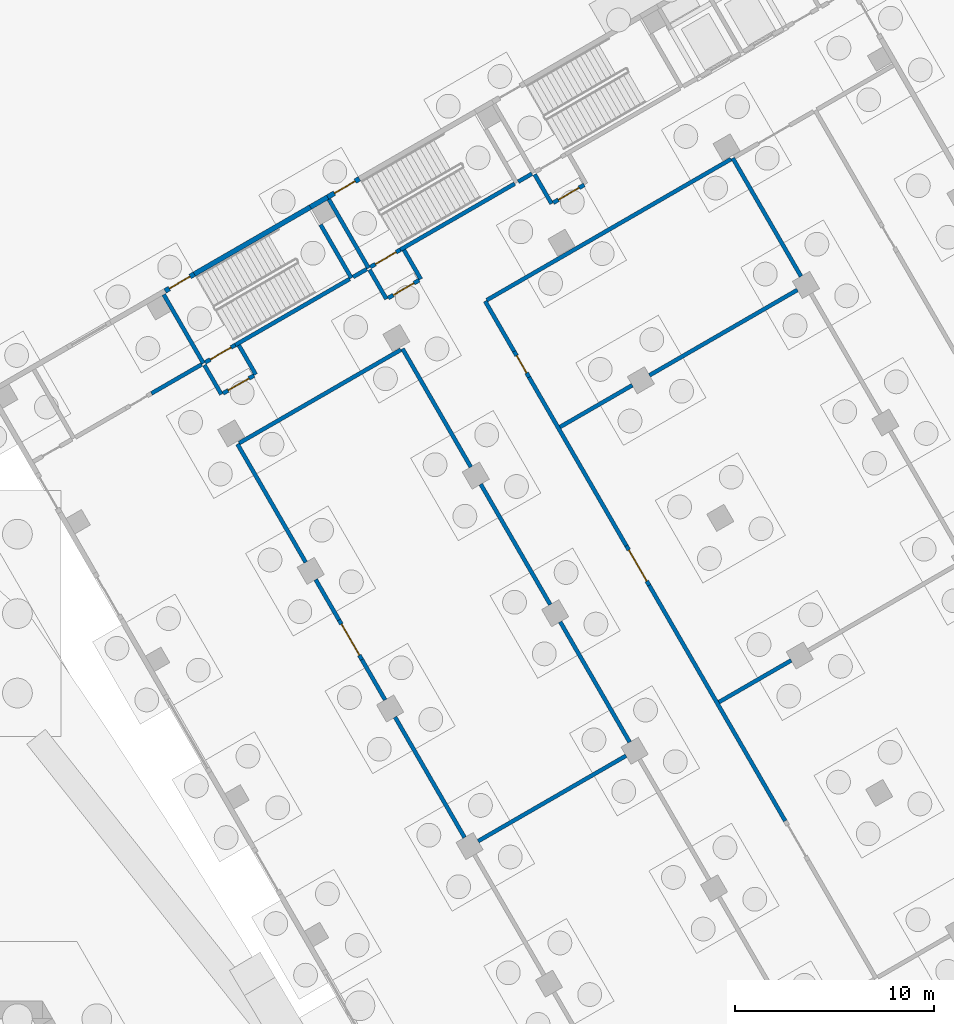
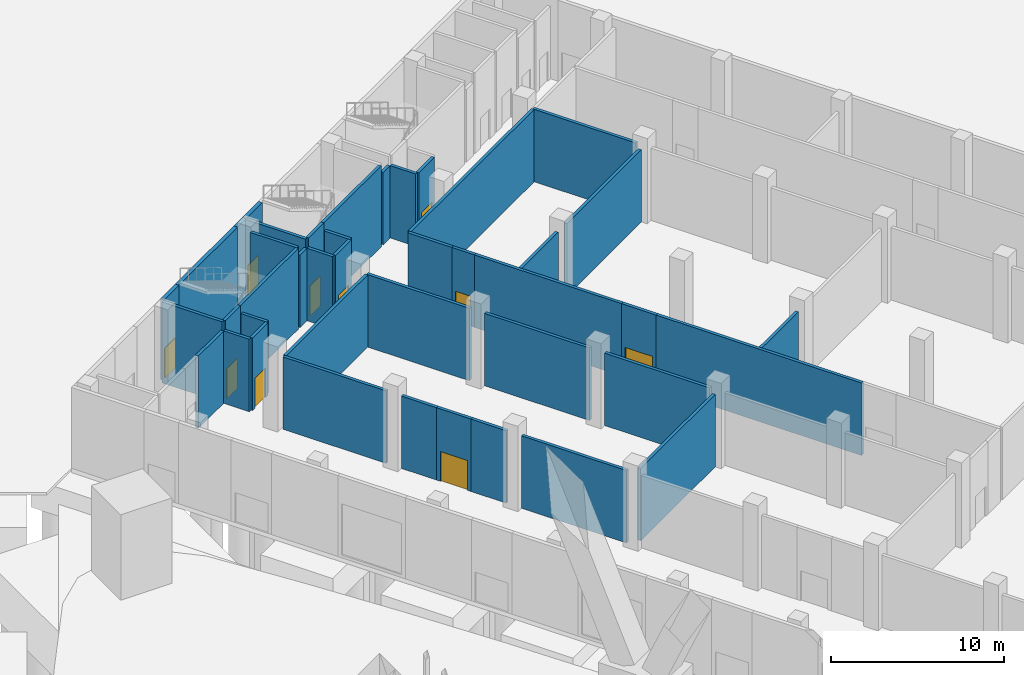
# One storey, part 20 of 38: 42 walls, 10 doors, 10 openings.
"""IFC4 building model written with IfcOpenShell, lengths in metres."""

from ifc_helpers import new_model, si_unit, direction, frame, frame_2d, origin, place, context, subcontext, project, spatial, rectangle, extrude, material, layer, layer_set, type_object, element, fill, save


model = new_model("IFC4")

# Units and contexts
model_context = context("Model", 3, precision=1e-05, world=origin(), true_north=direction((0.0, 1.0)))
body_context = subcontext(model_context, "Body", "Model", "MODEL_VIEW")
ifc_project = project(units=[si_unit("LENGTHUNIT", "METRE"), si_unit("AREAUNIT", "SQUARE_METRE"), si_unit("VOLUMEUNIT", "CUBIC_METRE"), si_unit("PLANEANGLEUNIT", "RADIAN"), si_unit("MASSUNIT", "GRAM", prefix="KILO")], contexts=[model_context])

# Site, building, storey
site_placement = place(None, origin())
site = spatial("IfcSite", under=ifc_project, at=site_placement, CompositionType="ELEMENT")
building_placement = place(site_placement, origin())
building = spatial("IfcBuilding", under=site, at=building_placement, Name="Mestral Congress Tower", CompositionType="ELEMENT")
storey_placement = place(building_placement, origin())
storey = spatial("IfcBuildingStorey", under=building, at=storey_placement, Name="L00", CompositionType="ELEMENT", Elevation=0.0)

# Wall, opening, door
ifc_material_1 = material(Name="Precast concrete C40/50 with limestone facing", Category="masonry")
ifc_layer_1 = layer(ifc_material_1, 0.25)
ifc_layer_set_1 = layer_set([ifc_layer_1], Name="Precast concrete C40/50 with limestone facing")
wall_type_1 = type_object("IfcWallType", Name="Podium external wall 250", PredefinedType="SOLIDWALL", material=ifc_layer_set_1)
wall_1_placement = place(storey_placement, frame((11.43701171875, 52.646728515625, 0.0), z_axis=(0.0, 0.0, 1.0), x_axis=(0.865989465428, 0.500062241894, 0.0)))
wall_1 = element("IfcWall", 1, at=wall_1_placement, inside=storey, type_object=wall_type_1, Name="L00 external wall", PredefinedType="SOLIDWALL", context=body_context, shape_type="SweptSolid", body=[
    extrude(rectangle(XDim=1.699951171875, YDim=0.25, at=frame_2d((0.85009765625, 0.0))), origin(), (0.0, 0.0, 1.0), 5.699951171875),
])
opening_1_placement = place(wall_1_placement, frame((0.25, 0.0, 0.0)))
opening_1 = element("IfcOpeningElement", 2, at=opening_1_placement, cuts=wall_1, Name="Opening P00-017", PredefinedType="OPENING", context=body_context, shape_type="SweptSolid", body=[
    extrude(rectangle(XDim=1.199951171875, YDim=2.10009765625, at=frame_2d((0.60009765625, 1.050048828125))), frame((0.0, 0.135009765625, 0.0), z_axis=(0.0, -1.0, 0.0), x_axis=(1.0, 0.0, 0.0)), (0.0, 0.0, 1.0), 0.27001953125),
])
ifc_material_2 = material(Name="Steel and glass door set", Category="steel")
door_type_1 = type_object("IfcDoorType", Name="Podium exit door 1200x2100", OperationType="SINGLE_SWING_LEFT", PredefinedType="DOOR", material=ifc_material_2)
door_1_placement = place(opening_1_placement, origin())
door_1 = element("IfcDoor", 3, at=door_1_placement, inside=storey, type_object=door_type_1, Name="Door P00-017", OperationType="SINGLE_SWING_LEFT", OverallHeight=2.10009765625, OverallWidth=1.199951171875, PredefinedType="DOOR", context=body_context, shape_type="SweptSolid", body=[
    extrude(rectangle(XDim=1.199951171875, YDim=2.10009765625, at=frame_2d((0.60009765625, 1.050048828125))), frame((0.0, 0.02490234375, 0.0), z_axis=(0.0, -1.0, 0.0), x_axis=(1.0, 0.0, 0.0)), (0.0, 0.0, 1.0), 0.050048828125),
])
fill(opening_1, door_1)

# Wall
wall_2_placement = place(storey_placement, frame((12.9091796875, 53.496826171875, 0.0), z_axis=(0.0, 0.0, 1.0), x_axis=(0.866026575979, 0.499997969693, 0.0)))
element("IfcWall", 4, at=wall_2_placement, inside=storey, type_object=wall_type_1, Name="L00 external wall", PredefinedType="SOLIDWALL", context=body_context, shape_type="SweptSolid", body=[
    extrude(rectangle(XDim=6.75, YDim=0.25, at=frame_2d((3.375, 0.0))), origin(), (0.0, 0.0, 1.0), 5.699951171875),
])

# Wall, opening, door
wall_3_placement = place(storey_placement, frame((19.620849609375, 57.371826171875, 0.0), z_axis=(0.0, 0.0, 1.0), x_axis=(0.866000971088, 0.500042316284, 0.0)))
wall_3 = element("IfcWall", 5, at=wall_3_placement, inside=storey, type_object=wall_type_1, Name="L00 external wall", PredefinedType="SOLIDWALL", context=body_context, shape_type="SweptSolid", body=[
    extrude(rectangle(XDim=1.849853515625, YDim=0.25, at=frame_2d((0.9248046875, 0.0))), origin(), (0.0, 0.0, 1.0), 5.699951171875),
])
opening_2_placement = place(wall_3_placement, frame((0.39990234375, 0.0, 0.0)))
opening_2 = element("IfcOpeningElement", 6, at=opening_2_placement, cuts=wall_3, Name="Opening P00-018", PredefinedType="OPENING", context=body_context, shape_type="SweptSolid", body=[
    extrude(rectangle(XDim=1.199951171875, YDim=2.10009765625, at=frame_2d((0.60009765625, 1.050048828125))), frame((0.0, 0.135009765625, 0.0), z_axis=(0.0, -1.0, 0.0), x_axis=(1.0, 0.0, 0.0)), (0.0, 0.0, 1.0), 0.27001953125),
])
door_2_placement = place(opening_2_placement, origin())
door_2 = element("IfcDoor", 7, at=door_2_placement, inside=storey, type_object=door_type_1, Name="Door P00-018", OperationType="SINGLE_SWING_LEFT", OverallHeight=2.10009765625, OverallWidth=1.199951171875, PredefinedType="DOOR", context=body_context, shape_type="SweptSolid", body=[
    extrude(rectangle(XDim=1.199951171875, YDim=2.10009765625, at=frame_2d((0.60009765625, 1.050048828125))), frame((0.0, 0.02490234375, 0.0), z_axis=(0.0, -1.0, 0.0), x_axis=(1.0, 0.0, 0.0)), (0.0, 0.0, 1.0), 0.050048828125),
])
fill(opening_2, door_2)

# Walls
wall_4_placement = place(storey_placement, frame((18.7548828125, 56.871826171875, 0.0), z_axis=(0.0, 0.0, 1.0), x_axis=(0.866010750942, 0.50002537861, 0.0)))
element("IfcWall", 8, at=wall_4_placement, inside=storey, type_object=wall_type_1, Name="L00 external wall", PredefinedType="SOLIDWALL", context=body_context, shape_type="SweptSolid", body=[
    extrude(rectangle(XDim=1.0, YDim=0.25, at=frame_2d((0.5, 0.0))), origin(), (0.0, 0.0, 1.0), 5.699951171875),
])
ifc_material_3 = material(Name="Masonry block wall", Category="masonry")
ifc_layer_2 = layer(ifc_material_3, 0.199951171875)
ifc_layer_set_2 = layer_set([ifc_layer_2], Name="Masonry block wall")
wall_type_2 = type_object("IfcWallType", Name="Podium stair enclosure wall 200 EI 120 load-bearing", PredefinedType="SOLIDWALL", material=ifc_layer_set_2)
wall_5_placement = place(storey_placement, frame((13.369384765625, 48.99951171875, 0.0), z_axis=(0.0, 0.0, 1.0), x_axis=(-0.50002537861, 0.866010750942, 0.0)))
element("IfcWall", 9, at=wall_5_placement, inside=storey, type_object=wall_type_2, Name="L00 partition", PredefinedType="SOLIDWALL", context=body_context, shape_type="SweptSolid", body=[
    extrude(rectangle(XDim=3.999755859375, YDim=0.199951171875, at=frame_2d((2.0, 0.0))), origin(), (0.0, 0.0, 1.0), 5.699951171875),
])
wall_6_placement = place(storey_placement, frame((20.8173828125, 53.29931640625, 0.0), z_axis=(0.0, 0.0, 1.0), x_axis=(-0.49999285859, 0.86602952684, 0.0)))
element("IfcWall", 10, at=wall_6_placement, inside=storey, type_object=wall_type_2, Name="L00 partition", PredefinedType="SOLIDWALL", context=body_context, shape_type="SweptSolid", body=[
    extrude(rectangle(XDim=3.10009765625, YDim=0.199951171875, at=frame_2d((1.550048828125, 0.0))), origin(), (0.0, 0.0, 1.0), 5.699951171875),
])
wall_7_placement = place(storey_placement, frame((21.683349609375, 53.79931640625, 0.0), z_axis=(0.0, 0.0, 1.0), x_axis=(-0.49999894854, 0.866026010844, 0.0)))
element("IfcWall", 11, at=wall_7_placement, inside=storey, type_object=wall_type_2, Name="L00 partition", PredefinedType="SOLIDWALL", context=body_context, shape_type="SweptSolid", body=[
    extrude(rectangle(XDim=4.0, YDim=0.199951171875, at=frame_2d((2.0, 0.0))), origin(), (0.0, 0.0, 1.0), 5.699951171875),
])

# Wall, opening, door
wall_8_placement = place(storey_placement, frame((13.4560546875, 49.04931640625, 0.0), z_axis=(0.0, 0.0, 1.0), x_axis=(0.866036909293, 0.499980071345, 0.0)))
wall_8 = element("IfcWall", 12, at=wall_8_placement, inside=storey, type_object=wall_type_2, Name="L00 partition", PredefinedType="SOLIDWALL", context=body_context, shape_type="SweptSolid", body=[
    extrude(rectangle(XDim=1.75, YDim=0.199951171875, at=frame_2d((0.875, 0.0))), origin(), (0.0, 0.0, 1.0), 5.699951171875),
])
opening_3_placement = place(wall_8_placement, frame((0.300048828125, 0.0, 0.0)))
opening_3 = element("IfcOpeningElement", 13, at=opening_3_placement, cuts=wall_8, Name="Opening P00-023", PredefinedType="OPENING", context=body_context, shape_type="SweptSolid", body=[
    extrude(rectangle(XDim=1.199951171875, YDim=2.10009765625, at=frame_2d((0.60009765625, 1.050048828125))), frame((0.0, 0.10986328125, 0.0), z_axis=(0.0, -1.0, 0.0), x_axis=(1.0, 0.0, 0.0)), (0.0, 0.0, 1.0), 0.219970703125),
])
ifc_material_4 = material(Name="Fire-rated steel door set", Category="steel")
door_type_2 = type_object("IfcDoorType", Name="Podium stair door 1200x2100 EI2 30-C5", OperationType="SINGLE_SWING_LEFT", PredefinedType="DOOR", material=ifc_material_4)
door_3_placement = place(opening_3_placement, origin())
door_3 = element("IfcDoor", 14, at=door_3_placement, inside=storey, type_object=door_type_2, Name="Door P00-023", OperationType="SINGLE_SWING_LEFT", OverallHeight=2.10009765625, OverallWidth=1.199951171875, PredefinedType="DOOR", context=body_context, shape_type="SweptSolid", body=[
    extrude(rectangle(XDim=1.199951171875, YDim=2.10009765625, at=frame_2d((0.60009765625, 1.050048828125))), frame((0.0, 0.02490234375, 0.0), z_axis=(0.0, -1.0, 0.0), x_axis=(1.0, 0.0, 0.0)), (0.0, 0.0, 1.0), 0.050048828125),
])
fill(opening_3, door_3)

# Wall
wall_9_placement = place(storey_placement, frame((14.9716796875, 49.92431640625, 0.0), z_axis=(0.0, 0.0, 1.0), x_axis=(0.86601134256, 0.500024353964, 0.0)))
element("IfcWall", 15, at=wall_9_placement, inside=storey, type_object=wall_type_2, Name="L00 partition", PredefinedType="SOLIDWALL", context=body_context, shape_type="SweptSolid", body=[
    extrude(rectangle(XDim=6.650146484375, YDim=0.199951171875, at=frame_2d((3.3251953125, 0.0))), origin(), (0.0, 0.0, 1.0), 5.699951171875),
])

# Wall, opening, door
wall_10_placement = place(storey_placement, frame((21.77001953125, 53.849365234375, 0.0), z_axis=(0.0, 0.0, 1.0), x_axis=(0.866002029911, 0.500040482552, 0.0)))
wall_10 = element("IfcWall", 16, at=wall_10_placement, inside=storey, type_object=wall_type_2, Name="L00 partition", PredefinedType="SOLIDWALL", context=body_context, shape_type="SweptSolid", body=[
    extrude(rectangle(XDim=1.749755859375, YDim=0.199951171875, at=frame_2d((0.875, 0.0))), origin(), (0.0, 0.0, 1.0), 5.699951171875),
])
opening_4_placement = place(wall_10_placement, frame((0.300048828125, 0.0, 0.0)))
opening_4 = element("IfcOpeningElement", 17, at=opening_4_placement, cuts=wall_10, Name="Opening P00-024", PredefinedType="OPENING", context=body_context, shape_type="SweptSolid", body=[
    extrude(rectangle(XDim=1.199951171875, YDim=2.10009765625, at=frame_2d((0.60009765625, 1.050048828125))), frame((0.0, 0.10986328125, 0.0), z_axis=(0.0, -1.0, 0.0), x_axis=(1.0, 0.0, 0.0)), (0.0, 0.0, 1.0), 0.219970703125),
])
door_4_placement = place(opening_4_placement, origin())
door_4 = element("IfcDoor", 18, at=door_4_placement, inside=storey, type_object=door_type_2, Name="Door P00-024", OperationType="SINGLE_SWING_LEFT", OverallHeight=2.10009765625, OverallWidth=1.199951171875, PredefinedType="DOOR", context=body_context, shape_type="SweptSolid", body=[
    extrude(rectangle(XDim=1.199951171875, YDim=2.10009765625, at=frame_2d((0.60009765625, 1.050048828125))), frame((0.0, 0.02490234375, 0.0), z_axis=(0.0, -1.0, 0.0), x_axis=(1.0, 0.0, 0.0)), (0.0, 0.0, 1.0), 0.050048828125),
])
fill(opening_4, door_4)

# Walls
wall_11_placement = place(storey_placement, frame((23.285400390625, 54.724365234375, 0.0), z_axis=(0.0, 0.0, 1.0), x_axis=(0.866027239912, 0.49999681972, 0.0)))
element("IfcWall", 19, at=wall_11_placement, inside=storey, type_object=wall_type_2, Name="L00 partition", PredefinedType="SOLIDWALL", context=body_context, shape_type="SweptSolid", body=[
    extrude(rectangle(XDim=6.64990234375, YDim=0.199951171875, at=frame_2d((3.324951171875, 0.0))), origin(), (0.0, 0.0, 1.0), 5.699951171875),
])
ifc_material_5 = material(Name="Fire-rated board partition")
ifc_layer_3 = layer(ifc_material_5, 0.199951171875)
ifc_layer_set_3 = layer_set([ifc_layer_3], Name="Fire-rated board partition")
wall_type_3 = type_object("IfcWallType", Name="Podium vestibule wall 200 EI 120", PredefinedType="PARTITIONING", material=ifc_layer_set_3)
for number, where, z_axis, x_axis, name in (
    (20, (14.26953125, 47.440673828125, 0.0), (0.0, 0.0, 1.0), (-0.500062241894, 0.865989465428, 0.0), "L00 partition"),
    (21, (16.00146484375, 48.440673828125, 0.0), (0.0, 0.0, 1.0), (-0.499954529098, 0.86605165483, 0.0), "L00 partition"),
    (22, (22.583251953125, 52.240478515625, 0.0), (0.0, 0.0, 1.0), (-0.499892348375, 0.866087547558, 0.0), "L00 partition"),
):
    element("IfcWall", number, at=place(storey_placement, frame(where, z_axis=z_axis, x_axis=x_axis)), inside=storey, type_object=wall_type_3, Name=name, PredefinedType="PARTITIONING", context=body_context, shape_type="SweptSolid", body=[
        extrude(rectangle(XDim=1.699951171875, YDim=0.199951171875, at=frame_2d((0.85009765625, 0.0))), origin(), (0.0, 0.0, 1.0), 5.10009765625),
    ])
wall_12_placement = place(storey_placement, frame((24.3154296875, 53.240478515625, 0.0), z_axis=(0.0, 0.0, 1.0), x_axis=(-0.500000056704, 0.866025371046, 0.0)))
element("IfcWall", 23, at=wall_12_placement, inside=storey, type_object=wall_type_3, Name="L00 partition", PredefinedType="PARTITIONING", context=body_context, shape_type="SweptSolid", body=[
    extrude(rectangle(XDim=1.7001953125, YDim=0.199951171875, at=frame_2d((0.85009765625, 0.0))), origin(), (0.0, 0.0, 1.0), 5.10009765625),
])
wall_13_placement = place(storey_placement, frame((30.897216796875, 57.04052734375, 0.0), z_axis=(0.0, 0.0, 1.0), x_axis=(-0.500062241894, 0.865989465428, 0.0)))
element("IfcWall", 24, at=wall_13_placement, inside=storey, type_object=wall_type_3, Name="L00 partition", PredefinedType="PARTITIONING", context=body_context, shape_type="SweptSolid", body=[
    extrude(rectangle(XDim=1.699951171875, YDim=0.199951171875, at=frame_2d((0.85009765625, 0.0))), origin(), (0.0, 0.0, 1.0), 5.10009765625),
])

# Wall, opening, door
wall_14_placement = place(storey_placement, frame((14.356201171875, 47.490478515625, 0.0), z_axis=(0.0, 0.0, 1.0), x_axis=(0.865955154139, 0.50012165622, 0.0)))
wall_14 = element("IfcWall", 25, at=wall_14_placement, inside=storey, type_object=wall_type_3, Name="L00 partition", PredefinedType="PARTITIONING", context=body_context, shape_type="SweptSolid", body=[
    extrude(rectangle(XDim=1.7998046875, YDim=0.199951171875, at=frame_2d((0.89990234375, 0.0))), origin(), (0.0, 0.0, 1.0), 5.10009765625),
])
opening_5_placement = place(wall_14_placement, frame((0.300048828125, 0.0, 0.0)))
opening_5 = element("IfcOpeningElement", 26, at=opening_5_placement, cuts=wall_14, Name="Opening P00-033", PredefinedType="OPENING", context=body_context, shape_type="SweptSolid", body=[
    extrude(rectangle(XDim=1.199951171875, YDim=2.10009765625, at=frame_2d((0.60009765625, 1.050048828125))), frame((0.0, 0.10986328125, 0.0), z_axis=(0.0, -1.0, 0.0), x_axis=(1.0, 0.0, 0.0)), (0.0, 0.0, 1.0), 0.219970703125),
])
door_type_3 = type_object("IfcDoorType", Name="Podium vestibule door 1200x2100 EI2 30-C5", OperationType="SINGLE_SWING_LEFT", PredefinedType="DOOR", material=ifc_material_4)
door_5_placement = place(opening_5_placement, origin())
door_5 = element("IfcDoor", 27, at=door_5_placement, inside=storey, type_object=door_type_3, Name="Door P00-033", OperationType="SINGLE_SWING_LEFT", OverallHeight=2.10009765625, OverallWidth=1.199951171875, PredefinedType="DOOR", context=body_context, shape_type="SweptSolid", body=[
    extrude(rectangle(XDim=1.199951171875, YDim=2.10009765625, at=frame_2d((0.60009765625, 1.050048828125))), frame((0.0, 0.02490234375, 0.0), z_axis=(0.0, -1.0, 0.0), x_axis=(1.0, 0.0, 0.0)), (0.0, 0.0, 1.0), 0.050048828125),
])
fill(opening_5, door_5)

wall_15_placement = place(storey_placement, frame((22.669921875, 52.29052734375, 0.0), z_axis=(0.0, 0.0, 1.0), x_axis=(0.865989075817, 0.500062916607, 0.0)))
wall_15 = element("IfcWall", 28, at=wall_15_placement, inside=storey, type_object=wall_type_3, Name="L00 partition", PredefinedType="PARTITIONING", context=body_context, shape_type="SweptSolid", body=[
    extrude(rectangle(XDim=1.800048828125, YDim=0.199951171875, at=frame_2d((0.89990234375, 0.0))), origin(), (0.0, 0.0, 1.0), 5.10009765625),
])
opening_6_placement = place(wall_15_placement, frame((0.300048828125, 0.0, 0.0)))
opening_6 = element("IfcOpeningElement", 29, at=opening_6_placement, cuts=wall_15, Name="Opening P00-034", PredefinedType="OPENING", context=body_context, shape_type="SweptSolid", body=[
    extrude(rectangle(XDim=1.199951171875, YDim=2.10009765625, at=frame_2d((0.60009765625, 1.050048828125))), frame((0.0, 0.10986328125, 0.0), z_axis=(0.0, -1.0, 0.0), x_axis=(1.0, 0.0, 0.0)), (0.0, 0.0, 1.0), 0.219970703125),
])
door_6_placement = place(opening_6_placement, origin())
door_6 = element("IfcDoor", 30, at=door_6_placement, inside=storey, type_object=door_type_3, Name="Door P00-034", OperationType="SINGLE_SWING_LEFT", OverallHeight=2.10009765625, OverallWidth=1.199951171875, PredefinedType="DOOR", context=body_context, shape_type="SweptSolid", body=[
    extrude(rectangle(XDim=1.199951171875, YDim=2.10009765625, at=frame_2d((0.60009765625, 1.050048828125))), frame((0.0, 0.02490234375, 0.0), z_axis=(0.0, -1.0, 0.0), x_axis=(1.0, 0.0, 0.0)), (0.0, 0.0, 1.0), 0.050048828125),
])
fill(opening_6, door_6)

wall_16_placement = place(storey_placement, frame((30.983642578125, 57.090576171875, 0.0), z_axis=(0.0, 0.0, 1.0), x_axis=(0.866047807691, 0.499961193289, 0.0)))
wall_16 = element("IfcWall", 31, at=wall_16_placement, inside=storey, type_object=wall_type_3, Name="L00 partition", PredefinedType="PARTITIONING", context=body_context, shape_type="SweptSolid", body=[
    extrude(rectangle(XDim=1.800048828125, YDim=0.199951171875, at=frame_2d((0.89990234375, 0.0))), origin(), (0.0, 0.0, 1.0), 5.10009765625),
])
opening_7_placement = place(wall_16_placement, frame((0.300048828125, 0.0, 0.0)))
opening_7 = element("IfcOpeningElement", 32, at=opening_7_placement, cuts=wall_16, Name="Opening P00-035", PredefinedType="OPENING", context=body_context, shape_type="SweptSolid", body=[
    extrude(rectangle(XDim=1.199951171875, YDim=2.10009765625, at=frame_2d((0.60009765625, 1.050048828125))), frame((0.0, 0.10986328125, 0.0), z_axis=(0.0, -1.0, 0.0), x_axis=(1.0, 0.0, 0.0)), (0.0, 0.0, 1.0), 0.219970703125),
])
door_7_placement = place(opening_7_placement, origin())
door_7 = element("IfcDoor", 33, at=door_7_placement, inside=storey, type_object=door_type_3, Name="Door P00-035", OperationType="SINGLE_SWING_LEFT", OverallHeight=2.10009765625, OverallWidth=1.199951171875, PredefinedType="DOOR", context=body_context, shape_type="SweptSolid", body=[
    extrude(rectangle(XDim=1.199951171875, YDim=2.10009765625, at=frame_2d((0.60009765625, 1.050048828125))), frame((0.0, 0.02490234375, 0.0), z_axis=(0.0, -1.0, 0.0), x_axis=(1.0, 0.0, 0.0)), (0.0, 0.0, 1.0), 0.050048828125),
])
fill(opening_7, door_7)

# Walls
wall_17_placement = place(storey_placement, frame((26.51806640625, 25.125244140625, 0.0), z_axis=(0.0, 0.0, 1.0), x_axis=(-0.499995173006, 0.866028190633, 0.0)))
element("IfcWall", 34, at=wall_17_placement, inside=storey, type_object=wall_type_3, Name="L00 partition", PredefinedType="PARTITIONING", context=body_context, shape_type="SweptSolid", body=[
    extrude(rectangle(XDim=7.0, YDim=0.199951171875, at=frame_2d((3.5, 0.0))), origin(), (0.0, 0.0, 1.0), 5.10009765625),
])
wall_18_placement = place(storey_placement, frame((22.51806640625, 32.053466796875, 0.0), z_axis=(0.0, 0.0, 1.0), x_axis=(-0.500016218704, 0.866016039709, 0.0)))
element("IfcWall", 35, at=wall_18_placement, inside=storey, type_object=wall_type_3, Name="L00 partition", PredefinedType="PARTITIONING", context=body_context, shape_type="SweptSolid", body=[
    extrude(rectangle(XDim=2.35009765625, YDim=0.199951171875, at=frame_2d((1.175048828125, 0.0))), origin(), (0.0, 0.0, 1.0), 5.10009765625),
])

# Wall, opening, door
wall_19_placement = place(storey_placement, frame((21.343017578125, 34.088623046875, 0.0), z_axis=(0.0, 0.0, 1.0), x_axis=(-0.499952165731, 0.866053019151, 0.0)))
wall_19 = element("IfcWall", 36, at=wall_19_placement, inside=storey, type_object=wall_type_3, Name="L00 partition", PredefinedType="PARTITIONING", context=body_context, shape_type="SweptSolid", body=[
    extrude(rectangle(XDim=2.300048828125, YDim=0.199951171875, at=frame_2d((1.14990234375, 0.0))), origin(), (0.0, 0.0, 1.0), 5.10009765625),
])
opening_8_placement = place(wall_19_placement, frame((0.25, 0.0, 0.0)))
opening_8 = element("IfcOpeningElement", 37, at=opening_8_placement, cuts=wall_19, Name="Opening P00-045", PredefinedType="OPENING", context=body_context, shape_type="SweptSolid", body=[
    extrude(rectangle(XDim=1.800048828125, YDim=2.10009765625, at=frame_2d((0.89990234375, 1.050048828125))), frame((0.0, 0.10986328125, 0.0), z_axis=(0.0, -1.0, 0.0), x_axis=(1.0, 0.0, 0.0)), (0.0, 0.0, 1.0), 0.219970703125),
])
door_type_4 = type_object("IfcDoorType", Name="Podium room door 1800x2100 EI2 30-C5", OperationType="DOUBLE_DOOR_SINGLE_SWING", PredefinedType="DOOR", material=ifc_material_4)
door_8_placement = place(opening_8_placement, origin())
door_8 = element("IfcDoor", 38, at=door_8_placement, inside=storey, type_object=door_type_4, Name="Door P00-045", OperationType="DOUBLE_DOOR_SINGLE_SWING", OverallHeight=2.10009765625, OverallWidth=1.800048828125, PredefinedType="DOOR", context=body_context, shape_type="SweptSolid", body=[
    extrude(rectangle(XDim=1.800048828125, YDim=2.10009765625, at=frame_2d((0.89990234375, 1.050048828125))), frame((0.0, 0.02490234375, 0.0), z_axis=(0.0, -1.0, 0.0), x_axis=(1.0, 0.0, 0.0)), (0.0, 0.0, 1.0), 0.050048828125),
])
fill(opening_8, door_8)

# Walls
wall_20_placement = place(storey_placement, frame((20.193115234375, 36.08056640625, 0.0), z_axis=(0.0, 0.0, 1.0), x_axis=(-0.500061208168, 0.865990062348, 0.0)))
element("IfcWall", 39, at=wall_20_placement, inside=storey, type_object=wall_type_3, Name="L00 partition", PredefinedType="PARTITIONING", context=body_context, shape_type="SweptSolid", body=[
    extrude(rectangle(XDim=2.349853515625, YDim=0.199951171875, at=frame_2d((1.1748046875, 0.0))), origin(), (0.0, 0.0, 1.0), 5.10009765625),
])
wall_21_placement = place(storey_placement, frame((18.51806640625, 38.981689453125, 0.0), z_axis=(0.0, 0.0, 1.0), x_axis=(-0.500004234368, 0.866022959057, 0.0)))
element("IfcWall", 40, at=wall_21_placement, inside=storey, type_object=wall_type_3, Name="L00 partition", PredefinedType="PARTITIONING", context=body_context, shape_type="SweptSolid", body=[
    extrude(rectangle(XDim=6.875, YDim=0.199951171875, at=frame_2d((3.4375, 0.0))), origin(), (0.0, 0.0, 1.0), 5.10009765625),
])
for number, where, z_axis, x_axis, name in (
    (41, (34.83203125, 29.92529296875, 0.0), (0.0, 0.0, 1.0), (-0.500010275428, 0.866019471182, 0.0), "L00 partition"),
    (42, (30.83203125, 36.853515625, 0.0), (0.0, 0.0, 1.0), (-0.500010275428, 0.866019471182, 0.0), "L00 partition"),
):
    element("IfcWall", number, at=place(storey_placement, frame(where, z_axis=z_axis, x_axis=x_axis)), inside=storey, type_object=wall_type_3, Name=name, PredefinedType="PARTITIONING", context=body_context, shape_type="SweptSolid", body=[
        extrude(rectangle(XDim=6.999755859375, YDim=0.199951171875, at=frame_2d((3.5, 0.0))), origin(), (0.0, 0.0, 1.0), 5.10009765625),
    ])
wall_22_placement = place(storey_placement, frame((26.83203125, 43.781494140625, 0.0), z_axis=(0.0, 0.0, 1.0), x_axis=(-0.499988857673, 0.866031836714, 0.0)))
element("IfcWall", 43, at=wall_22_placement, inside=storey, type_object=wall_type_3, Name="L00 partition", PredefinedType="PARTITIONING", context=body_context, shape_type="SweptSolid", body=[
    extrude(rectangle(XDim=6.875244140625, YDim=0.199951171875, at=frame_2d((3.4375, 0.0))), origin(), (0.0, 0.0, 1.0), 5.10009765625),
])
wall_23_placement = place(storey_placement, frame((42.663818359375, 25.9599609375, 0.0), z_axis=(0.0, 0.0, 1.0), x_axis=(-0.499993437113, 0.866029192836, 0.0)))
element("IfcWall", 44, at=wall_23_placement, inside=storey, type_object=wall_type_3, Name="L00 partition", PredefinedType="PARTITIONING", context=body_context, shape_type="SweptSolid", body=[
    extrude(rectangle(XDim=13.699951171875, YDim=0.199951171875, at=frame_2d((6.85009765625, 0.0))), origin(), (0.0, 0.0, 1.0), 5.10009765625),
])

# Wall, opening, door
wall_24_placement = place(storey_placement, frame((35.81396484375, 37.824462890625, 0.0), z_axis=(0.0, 0.0, 1.0), x_axis=(-0.500031774688, 0.866007057882, 0.0)))
wall_24 = element("IfcWall", 45, at=wall_24_placement, inside=storey, type_object=wall_type_3, Name="L00 partition", PredefinedType="PARTITIONING", context=body_context, shape_type="SweptSolid", body=[
    extrude(rectangle(XDim=2.300048828125, YDim=0.199951171875, at=frame_2d((1.14990234375, 0.0))), origin(), (0.0, 0.0, 1.0), 5.10009765625),
])
opening_9_placement = place(wall_24_placement, frame((0.25, 0.0, 0.0)))
opening_9 = element("IfcOpeningElement", 46, at=opening_9_placement, cuts=wall_24, Name="Opening P00-047", PredefinedType="OPENING", context=body_context, shape_type="SweptSolid", body=[
    extrude(rectangle(XDim=1.800048828125, YDim=2.10009765625, at=frame_2d((0.89990234375, 1.050048828125))), frame((0.0, 0.10986328125, 0.0), z_axis=(0.0, -1.0, 0.0), x_axis=(1.0, 0.0, 0.0)), (0.0, 0.0, 1.0), 0.219970703125),
])
door_9_placement = place(opening_9_placement, origin())
door_9 = element("IfcDoor", 47, at=door_9_placement, inside=storey, type_object=door_type_4, Name="Door P00-047", OperationType="DOUBLE_DOOR_SINGLE_SWING", OverallHeight=2.10009765625, OverallWidth=1.800048828125, PredefinedType="DOOR", context=body_context, shape_type="SweptSolid", body=[
    extrude(rectangle(XDim=1.800048828125, YDim=2.10009765625, at=frame_2d((0.89990234375, 1.050048828125))), frame((0.0, 0.02490234375, 0.0), z_axis=(0.0, -1.0, 0.0), x_axis=(1.0, 0.0, 0.0)), (0.0, 0.0, 1.0), 0.050048828125),
])
fill(opening_9, door_9)

# Wall
wall_25_placement = place(storey_placement, frame((34.663818359375, 39.81640625, 0.0), z_axis=(0.0, 0.0, 1.0), x_axis=(-0.49999201416, 0.866030014362, 0.0)))
element("IfcWall", 48, at=wall_25_placement, inside=storey, type_object=wall_type_3, Name="L00 partition", PredefinedType="PARTITIONING", context=body_context, shape_type="SweptSolid", body=[
    extrude(rectangle(XDim=9.800048828125, YDim=0.199951171875, at=frame_2d((4.89990234375, 0.0))), origin(), (0.0, 0.0, 1.0), 5.10009765625),
])

# Wall, opening, door
wall_26_placement = place(storey_placement, frame((29.763916015625, 48.303466796875, 0.0), z_axis=(0.0, 0.0, 1.0), x_axis=(-0.500060622324, 0.86599040064, 0.0)))
wall_26 = element("IfcWall", 49, at=wall_26_placement, inside=storey, type_object=wall_type_3, Name="L00 partition", PredefinedType="PARTITIONING", context=body_context, shape_type="SweptSolid", body=[
    extrude(rectangle(XDim=1.499755859375, YDim=0.199951171875, at=frame_2d((0.75, 0.0))), origin(), (0.0, 0.0, 1.0), 5.10009765625),
])
opening_10_placement = place(wall_26_placement, frame((0.25, 0.0, 0.0)))
opening_10 = element("IfcOpeningElement", 50, at=opening_10_placement, cuts=wall_26, Name="Opening P00-048", PredefinedType="OPENING", context=body_context, shape_type="SweptSolid", body=[
    extrude(rectangle(XDim=1.0, YDim=2.10009765625, at=frame_2d((0.5, 1.050048828125))), frame((0.0, 0.10986328125, 0.0), z_axis=(0.0, -1.0, 0.0), x_axis=(1.0, 0.0, 0.0)), (0.0, 0.0, 1.0), 0.219970703125),
])
door_type_5 = type_object("IfcDoorType", Name="Podium room door 1000x2100 EI2 30-C5", OperationType="SINGLE_SWING_LEFT", PredefinedType="DOOR", material=ifc_material_4)
door_10_placement = place(opening_10_placement, origin())
door_10 = element("IfcDoor", 51, at=door_10_placement, inside=storey, type_object=door_type_5, Name="Door P00-048", OperationType="SINGLE_SWING_LEFT", OverallHeight=2.10009765625, OverallWidth=1.0, PredefinedType="DOOR", context=body_context, shape_type="SweptSolid", body=[
    extrude(rectangle(XDim=1.0, YDim=2.10009765625, at=frame_2d((0.5, 1.050048828125))), frame((0.0, 0.02490234375, 0.0), z_axis=(0.0, -1.0, 0.0), x_axis=(1.0, 0.0, 0.0)), (0.0, 0.0, 1.0), 0.050048828125),
])
fill(opening_10, door_10)

# Walls
wall_27_placement = place(storey_placement, frame((29.013916015625, 49.602294921875, 0.0), z_axis=(0.0, 0.0, 1.0), x_axis=(-0.499963291492, 0.866046596414, 0.0)))
element("IfcWall", 52, at=wall_27_placement, inside=storey, type_object=wall_type_3, Name="L00 partition", PredefinedType="PARTITIONING", context=body_context, shape_type="SweptSolid", body=[
    extrude(rectangle(XDim=2.925048828125, YDim=0.199951171875, at=frame_2d((1.46240234375, 0.0))), origin(), (0.0, 0.0, 1.0), 5.10009765625),
])
wall_28_placement = place(storey_placement, frame((43.459716796875, 53.381591796875, 0.0), z_axis=(0.0, 0.0, 1.0), x_axis=(-0.499988857673, 0.866031836714, 0.0)))
element("IfcWall", 53, at=wall_28_placement, inside=storey, type_object=wall_type_3, Name="L00 partition", PredefinedType="PARTITIONING", context=body_context, shape_type="SweptSolid", body=[
    extrude(rectangle(XDim=6.875244140625, YDim=0.199951171875, at=frame_2d((3.4375, 0.0))), origin(), (0.0, 0.0, 1.0), 5.10009765625),
])
wall_29_placement = place(storey_placement, frame((27.201171875, 24.942138671875, 0.0), z_axis=(0.0, 0.0, 1.0), x_axis=(0.866021068297, 0.500007509209, 0.0)))
element("IfcWall", 54, at=wall_29_placement, inside=storey, type_object=wall_type_3, Name="L00 partition", PredefinedType="PARTITIONING", context=body_context, shape_type="SweptSolid", body=[
    extrude(rectangle(XDim=8.599853515625, YDim=0.199951171875, at=frame_2d((4.2998046875, 0.0))), origin(), (0.0, 0.0, 1.0), 5.10009765625),
])
for number, where, z_axis, x_axis, name in (
    (55, (39.325439453125, 31.942138671875, 0.0), (0.0, 0.0, 1.0), (0.866023935413, 0.500002543286, 0.0), "L00 partition"),
    (56, (31.325439453125, 45.798583984375, 0.0), (0.0, 0.0, 1.0), (0.866023935413, 0.500002543286, 0.0), "L00 partition"),
):
    element("IfcWall", number, at=place(storey_placement, frame(where, z_axis=z_axis, x_axis=x_axis)), inside=storey, type_object=wall_type_3, Name=name, PredefinedType="PARTITIONING", context=body_context, shape_type="SweptSolid", body=[
        extrude(rectangle(XDim=4.2001953125, YDim=0.199951171875, at=frame_2d((2.10009765625, 0.0))), origin(), (0.0, 0.0, 1.0), 5.10009765625),
    ])
wall_30_placement = place(storey_placement, frame((35.828857421875, 48.398681640625, 0.0), z_axis=(0.0, 0.0, 1.0), x_axis=(0.866033360935, 0.499986217557, 0.0)))
element("IfcWall", 57, at=wall_30_placement, inside=storey, type_object=wall_type_3, Name="L00 partition", PredefinedType="PARTITIONING", context=body_context, shape_type="SweptSolid", body=[
    extrude(rectangle(XDim=8.599853515625, YDim=0.199951171875, at=frame_2d((4.2998046875, 0.0))), origin(), (0.0, 0.0, 1.0), 5.10009765625),
])
wall_31_placement = place(storey_placement, frame((15.167236328125, 44.985595703125, 0.0), z_axis=(0.0, 0.0, 1.0), x_axis=(0.866027286158, 0.499996739618, 0.0)))
element("IfcWall", 58, at=wall_31_placement, inside=storey, type_object=wall_type_3, Name="L00 partition", PredefinedType="PARTITIONING", context=body_context, shape_type="SweptSolid", body=[
    extrude(rectangle(XDim=9.39990234375, YDim=0.199951171875, at=frame_2d((4.699951171875, 0.0))), origin(), (0.0, 0.0, 1.0), 5.10009765625),
])
wall_32_placement = place(storey_placement, frame((27.637939453125, 52.185546875, 0.0), z_axis=(0.0, 0.0, 1.0), x_axis=(0.866023247849, 0.500003734171, 0.0)))
element("IfcWall", 59, at=wall_32_placement, inside=storey, type_object=wall_type_3, Name="L00 partition", PredefinedType="PARTITIONING", context=body_context, shape_type="SweptSolid", body=[
    extrude(rectangle(XDim=14.2001953125, YDim=0.199951171875, at=frame_2d((7.10009765625, 0.0))), origin(), (0.0, 0.0, 1.0), 5.10009765625),
])
wall_33_placement = place(storey_placement, frame((10.749755859375, 47.48681640625, 0.0), z_axis=(0.0, 0.0, 1.0), x_axis=(0.86601045545, 0.500025890382, 0.0)))
element("IfcWall", 60, at=wall_33_placement, inside=storey, type_object=wall_type_3, Name="L00 partition", PredefinedType="PARTITIONING", context=body_context, shape_type="SweptSolid", body=[
    extrude(rectangle(XDim=2.925048828125, YDim=0.199951171875, at=frame_2d((1.46240234375, 0.0))), origin(), (0.0, 0.0, 1.0), 5.10009765625),
])
wall_34_placement = place(storey_placement, frame((20.90380859375, 53.349365234375, 0.0), z_axis=(0.0, 0.0, 1.0), x_axis=(0.865961984968, 0.500109828528, 0.0)))
element("IfcWall", 61, at=wall_34_placement, inside=storey, type_object=wall_type_3, Name="L00 partition", PredefinedType="PARTITIONING", context=body_context, shape_type="SweptSolid", body=[
    extrude(rectangle(XDim=0.800048828125, YDim=0.199951171875, at=frame_2d((0.39990234375, 0.0))), origin(), (0.0, 0.0, 1.0), 5.10009765625),
])
wall_35_placement = place(storey_placement, frame((29.2177734375, 58.1494140625, 0.0), z_axis=(0.0, 0.0, 1.0), x_axis=(0.866017831539, 0.500013115284, 0.0)))
element("IfcWall", 62, at=wall_35_placement, inside=storey, type_object=wall_type_3, Name="L00 partition", PredefinedType="PARTITIONING", context=body_context, shape_type="SweptSolid", body=[
    extrude(rectangle(XDim=0.7998046875, YDim=0.199951171875, at=frame_2d((0.39990234375, 0.0))), origin(), (0.0, 0.0, 1.0), 5.10009765625),
])

save(model, "model.ifc")
